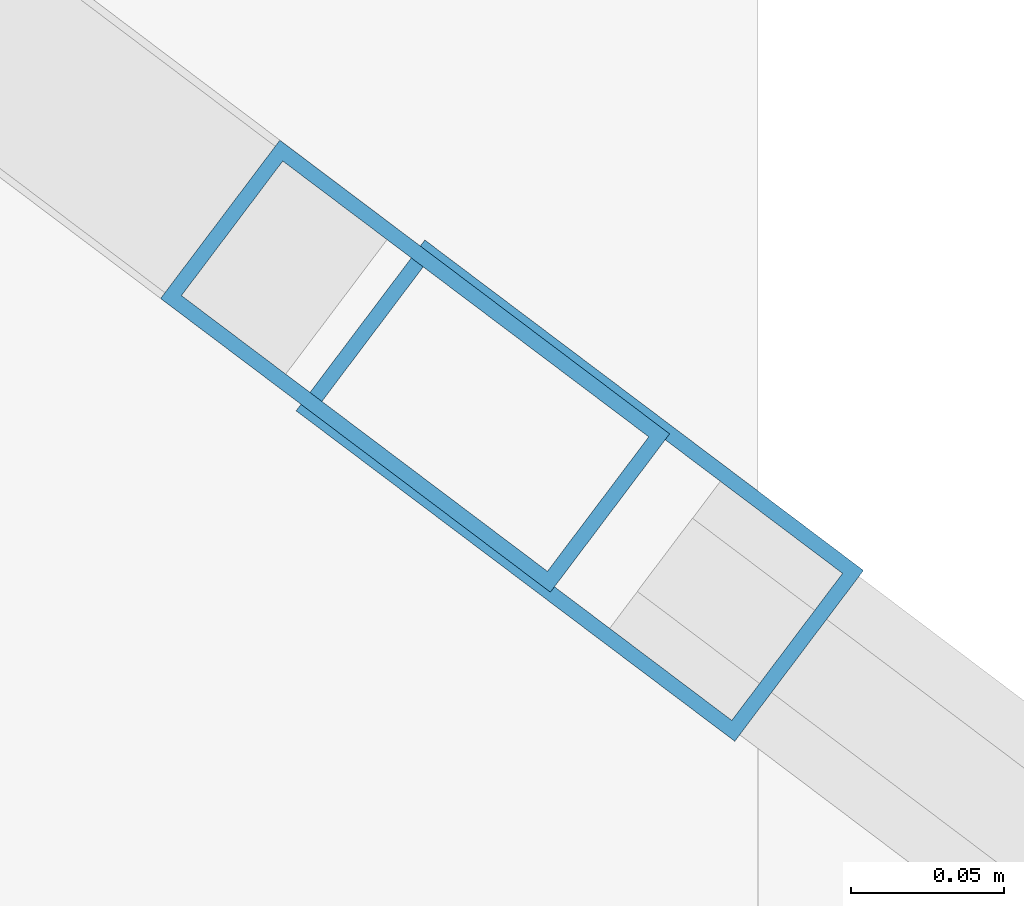
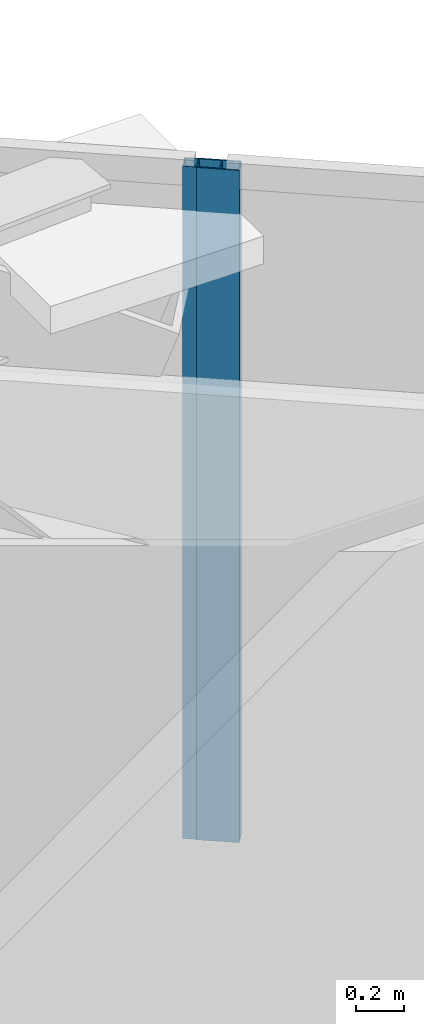
# One storey, part 8 of 22: 2 members, 2 elements without a shape of their own.
"""IFC4 building model written with IfcOpenShell, lengths in metres."""

from ifc_helpers import new_model, si_unit, direction, frame, origin, origin_2d, place, context, subcontext, project, spatial, hollow_rectangle, extrude, material, layer, layer_set, material_profile, profile_set, type_object, element, aggregate, save


model = new_model("IFC4")

# Units and contexts
model_context = context("Model", 3, precision=1e-05, world=origin(), true_north=direction((0.0, 1.0)))
body_context = subcontext(model_context, "Body", "Model", "MODEL_VIEW")
ifc_project = project(units=[si_unit("LENGTHUNIT", "METRE"), si_unit("AREAUNIT", "SQUARE_METRE"), si_unit("VOLUMEUNIT", "CUBIC_METRE"), si_unit("PLANEANGLEUNIT", "RADIAN"), si_unit("MASSUNIT", "GRAM", prefix="KILO")], contexts=[model_context])

# Site, building, storey
site_placement = place(None, origin())
site = spatial("IfcSite", under=ifc_project, at=site_placement, CompositionType="ELEMENT")
building_placement = place(site_placement, origin())
building = spatial("IfcBuilding", under=site, at=building_placement, Name="Qianvela Tower", CompositionType="ELEMENT")
storey_placement = place(building_placement, frame((0.0, 0.0, 89.5)))
storey = spatial("IfcBuildingStorey", under=building, at=storey_placement, Name="L22", CompositionType="ELEMENT", Elevation=89.5)

# Curtain wall, member
ifc_material_1 = material(Name="Anodised Architectural Aluminium and Insulated Spandrel Panel", Category="aluminium")
ifc_layer_1 = layer(ifc_material_1, 0.179931640625)
ifc_layer_set_1 = layer_set([ifc_layer_1], Name="Anodised Architectural Aluminium and Insulated Spandrel Panel")
curtain_wall_type_1 = type_object("IfcCurtainWallType", Name="CW-BRACEBAY", PredefinedType="USERDEFINED", material=ifc_layer_set_1)
curtain_wall_1_placement = place(storey_placement, origin())
curtain_wall_1 = element("IfcCurtainWall", 1, at=curtain_wall_1_placement, inside=storey, type_object=curtain_wall_type_1, Name="L22 CW-BRACEBAY Curtain Wall 02B", ObjectType="CURTAIN_WALL_SYSTEM", PredefinedType="USERDEFINED")
ifc_material_2 = material(Name="Anodised Architectural Aluminium 6063-T6", Category="aluminium")
ifc_material_profile_1 = material_profile(ifc_material_2, hollow_rectangle(XDim=0.06494140625, YDim=0.159912109375, WallThickness=0.0048828125, at=origin_2d()), Name="ALU-MULL-65x160")
ifc_profile_set_1 = profile_set([ifc_material_profile_1], Name="Anodised Architectural Aluminium 6063-T6")
member_type_1 = type_object("IfcMemberType", Name="CW-BRACEBAY-MULL", PredefinedType="MULLION", material=ifc_profile_set_1)
member_1_placement = place(storey_placement, frame((48.360595703125, 33.98486328125, 0.0), z_axis=(0.0, 0.0, 1.0), x_axis=(-0.601728115791, -0.798700992028, 0.0)))
member_1 = element("IfcMember", 2, at=member_1_placement, type_object=member_type_1, Name="CW-9 mullion 1", PredefinedType="MULLION", context=body_context, shape_type="SweptSolid", body=[
    extrude(hollow_rectangle(XDim=0.06494140625, YDim=0.159912109375, WallThickness=0.0048828125, at=origin_2d()), origin(), (0.0, 0.0, 1.0), 3.39990234375),
])
aggregate(curtain_wall_1, [member_1])

ifc_material_3 = material(Name="Anodised Architectural Aluminium and Low-E Glass", Category="aluminium")
ifc_layer_2 = layer(ifc_material_3, 0.179931640625)
ifc_layer_set_2 = layer_set([ifc_layer_2], Name="Anodised Architectural Aluminium and Low-E Glass")
curtain_wall_type_2 = type_object("IfcCurtainWallType", Name="CW-COLIV-Z12", PredefinedType="USERDEFINED", material=ifc_layer_set_2)
curtain_wall_2_placement = place(storey_placement, origin())
curtain_wall_2 = element("IfcCurtainWall", 3, at=curtain_wall_2_placement, inside=storey, type_object=curtain_wall_type_2, Name="L22 CW-COLIV-Z12 Curtain Wall 02A", ObjectType="CURTAIN_WALL_SYSTEM", PredefinedType="USERDEFINED")
ifc_material_4 = material(Name="Anodised Architectural Aluminium 6063-T6", Category="aluminium")
ifc_material_profile_2 = material_profile(ifc_material_4, hollow_rectangle(XDim=0.070068359375, YDim=0.179931640625, WallThickness=0.0048828125, at=origin_2d()), Name="ALU-MULL-70x180")
ifc_profile_set_2 = profile_set([ifc_material_profile_2], Name="Anodised Architectural Aluminium 6063-T6")
member_type_2 = type_object("IfcMemberType", Name="CW-COLIV-Z12-MULL", PredefinedType="MULLION", material=ifc_profile_set_2)
member_2_placement = place(storey_placement, frame((48.41455078125, 33.944091796875, 0.0), z_axis=(0.0, 0.0, 1.0), x_axis=(-0.601717504597, -0.798708986216, 0.0)))
member_2 = element("IfcMember", 4, at=member_2_placement, type_object=member_type_2, Name="CW-3 mullion 3", PredefinedType="MULLION", context=body_context, shape_type="SweptSolid", body=[
    extrude(hollow_rectangle(XDim=0.070068359375, YDim=0.179931640625, WallThickness=0.0048828125, at=origin_2d()), origin(), (0.0, 0.0, 1.0), 3.39990234375),
])
aggregate(curtain_wall_2, [member_2])

save(model, "model.ifc")
